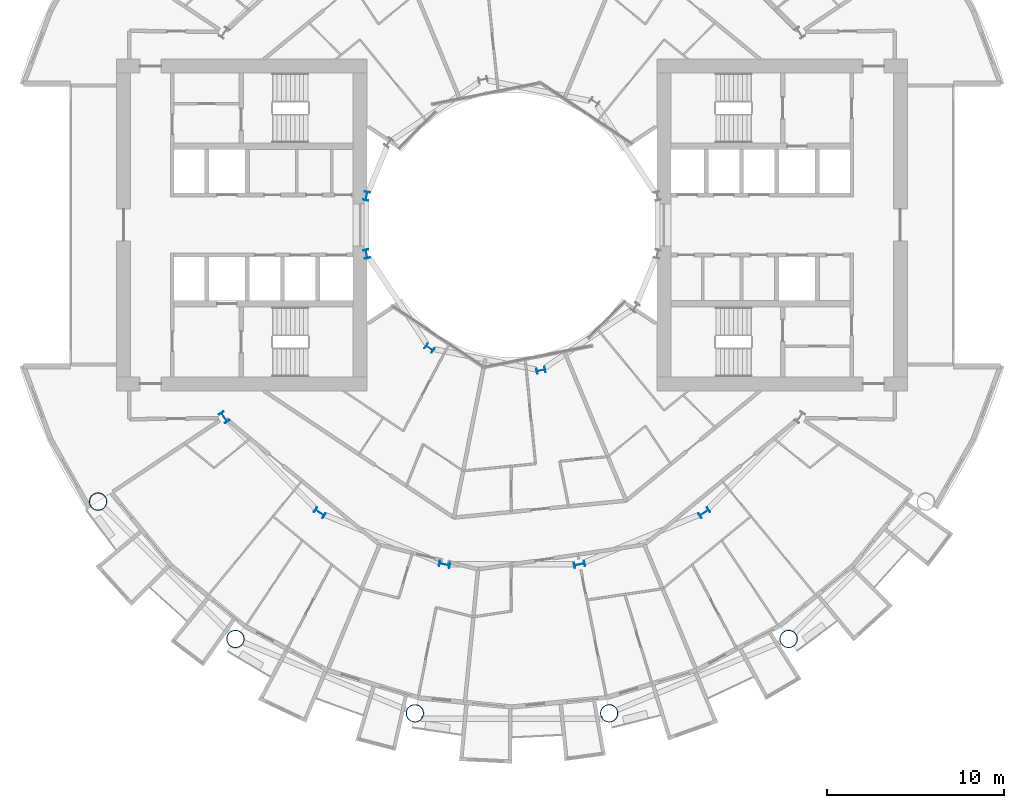
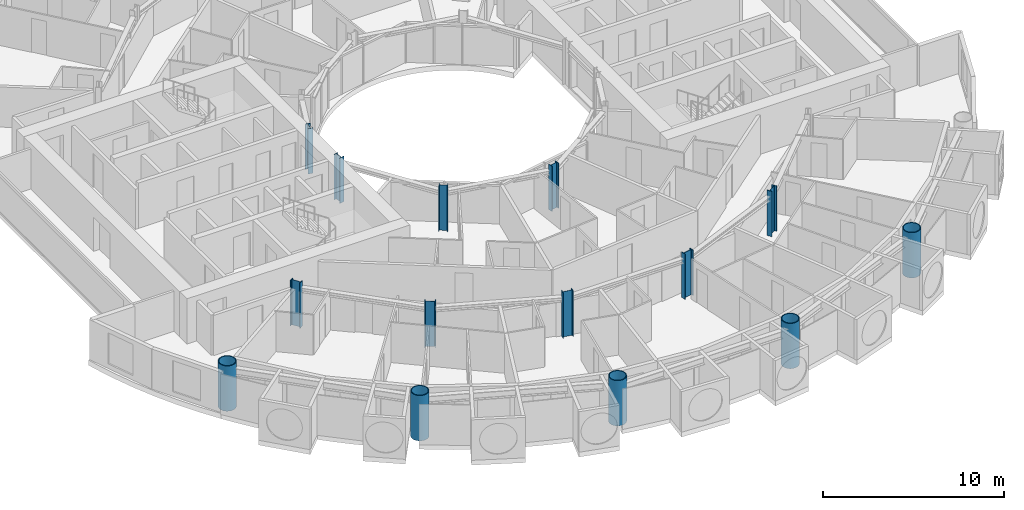
# One storey, part 1 of 26: 14 columns.
"""IFC4 building model written with IfcOpenShell, lengths in metres."""

import ifcopenshell
import ifcopenshell.guid

model = None  # the IFC model being written
_history = None  # IfcOwnerHistory: only IFC2X3 demands one
_inside = {}  # id of a spatial element -> (the spatial element, [elements in it])
_under = {}  # id of a project, library or spatial element -> (it, [spatial elements below it])
_declared = {}  # id of a project -> (the project, [libraries it declares])
_typed = {}  # id of a type object -> (the type object, [elements of that type])
_made_of = {}  # id of a material, layer set ... -> (it, [elements and type objects made of it])


def new_model(schema):
    """Start an empty IFC model of exactly this schema.

    Asked for "IFC4X3", IfcOpenShell would pick the latest addendum, in which some entities
    have other attributes; the version numbers below select the first issue.
    IFC2X3 requires an IfcOwnerHistory on every rooted entity: one is made here for all.
    """
    global model, _history
    if schema == "IFC4X3":
        model = ifcopenshell.file(schema_version=(4, 3, 0, 0))
    else:
        model = ifcopenshell.file(schema=schema)
    _inside.clear()
    _under.clear()
    _declared.clear()
    _typed.clear()
    _made_of.clear()
    _history = None
    if model.schema == "IFC2X3":
        org = make("IfcOrganization", Name="unknown")
        user = make(
            "IfcPersonAndOrganization",
            ThePerson=make("IfcPerson", FamilyName="unknown"),
            TheOrganization=org,
        )
        app = make(
            "IfcApplication",
            ApplicationDeveloper=org,
            Version="unknown",
            ApplicationFullName="unknown",
            ApplicationIdentifier="unknown",
        )
        _history = make(
            "IfcOwnerHistory",
            OwningUser=user,
            OwningApplication=app,
            ChangeAction="ADDED",
            CreationDate=0,
        )
    return model


def make(cls, **values):
    """One entity of the class cls with the attributes given. An attribute that is None is left unset."""
    return model.create_entity(
        cls, **{name: value for name, value in values.items() if value is not None}
    )


def rooted(cls, **values):
    """An entity with a GlobalId (a new one), such as an element, a storey or a relation."""
    return make(cls, GlobalId=ifcopenshell.guid.new(), OwnerHistory=_history, **values)


def si_unit(unit_type, name, prefix=None):
    """IfcSIUnit, for example si_unit("LENGTHUNIT", "METRE", prefix="MILLI")."""
    return make("IfcSIUnit", UnitType=unit_type, Prefix=prefix, Name=name)


def assignment(units):
    """IfcUnitAssignment: the units of a project."""
    return None if units is None else make("IfcUnitAssignment", Units=units)


def point(xyz):
    """IfcCartesianPoint."""
    return None if xyz is None else make("IfcCartesianPoint", Coordinates=xyz)


def direction(xyz):
    """IfcDirection."""
    return None if xyz is None else make("IfcDirection", DirectionRatios=xyz)


def frame(location, z_axis=None, x_axis=None):
    """IfcAxis2Placement3D, a coordinate frame: its origin and axes. An axis left out is left unset."""
    return make(
        "IfcAxis2Placement3D",
        Location=point(location),
        Axis=direction(z_axis),
        RefDirection=direction(x_axis),
    )


def frame_2d(location, x_axis=None):
    """IfcAxis2Placement2D, a coordinate frame in the plane: its origin and x axis."""
    return make(
        "IfcAxis2Placement2D", Location=point(location), RefDirection=direction(x_axis)
    )


def origin():
    """The frame at (0, 0, 0) with its axes left unset."""
    return frame((0.0, 0.0, 0.0))


def origin_2d():
    """The frame at (0, 0) in the plane with its x axis left unset."""
    return frame_2d((0.0, 0.0))


def place(relative_to, where):
    """IfcLocalPlacement: puts the frame where relative to a parent placement (None: the world)."""
    return make(
        "IfcLocalPlacement", PlacementRelTo=relative_to, RelativePlacement=where
    )


def context(
    kind, dimensions, precision=None, world=None, true_north=None, identifier=None
):
    """IfcGeometricRepresentationContext, for example the 3D "Model" context."""
    return make(
        "IfcGeometricRepresentationContext",
        ContextIdentifier=identifier,
        ContextType=kind,
        CoordinateSpaceDimension=dimensions,
        Precision=precision,
        WorldCoordinateSystem=world,
        TrueNorth=true_north,
    )


def subcontext(parent, identifier, kind, view, scale=None):
    """IfcGeometricRepresentationSubContext, for example "Body" below "Model"."""
    return make(
        "IfcGeometricRepresentationSubContext",
        ContextIdentifier=identifier,
        ContextType=kind,
        ParentContext=parent,
        TargetScale=scale,
        TargetView=view,
    )


def project(units=None, contexts=None):
    """IfcProject with its units and contexts."""
    return rooted(
        "IfcProject",
        Name="project",
        RepresentationContexts=contexts,
        UnitsInContext=assignment(units),
    )


def spatial(cls, under=None, at=None, **own):
    """A site, building, storey or space (cls), placed at a placement, below another one or the project."""
    s = rooted(cls, ObjectPlacement=at, **own)
    if under is not None:
        _under.setdefault(under.id(), (under, []))[1].append(s)
    return s


def profile(cls, at=None, kind="AREA", **sizes):
    """A parametric profile (cls). Its sizes go by their IFC names, for example OverallWidth=200.0."""
    return make(cls, ProfileType=kind, Position=at, **sizes)


def hollow_circle(**sizes):
    """IfcCircleHollowProfileDef."""
    return profile("IfcCircleHollowProfileDef", **sizes)


def i_section(**sizes):
    """IfcIShapeProfileDef."""
    return profile("IfcIShapeProfileDef", **sizes)


def extrude(swept, where, along, depth):
    """IfcExtrudedAreaSolid: the profile swept, set in the frame where, extruded along a direction by depth."""
    return make(
        "IfcExtrudedAreaSolid",
        SweptArea=swept,
        Position=where,
        ExtrudedDirection=direction(along),
        Depth=depth,
    )


def shape(context_of_items, identifier, shape_type, items):
    """IfcShapeRepresentation: the items that make up one representation, for example the "Body"."""
    return make(
        "IfcShapeRepresentation",
        ContextOfItems=context_of_items,
        RepresentationIdentifier=identifier,
        RepresentationType=shape_type,
        Items=items,
    )


def material(Name=None, Category=None):
    """IfcMaterial."""
    return make("IfcMaterial", Name=Name, Category=Category)


def material_profile(
    of_material, cross_section, Name=None, Category=None, Priority=None
):
    """IfcMaterialProfile: a cross section and its material."""
    return make(
        "IfcMaterialProfile",
        Name=Name,
        Material=of_material,
        Profile=cross_section,
        Priority=Priority,
        Category=Category,
    )


def profile_set(profiles, Name=None, composite=None):
    """IfcMaterialProfileSet."""
    return make(
        "IfcMaterialProfileSet",
        Name=Name,
        MaterialProfiles=profiles,
        CompositeProfile=composite,
    )


def made_of(thing, what):
    """Note that an element or type object is made of a material, layer set ...; save() writes the relation."""
    if what is not None:
        _made_of.setdefault(what.id(), (what, []))[1].append(thing)
    return thing


def type_object(cls, material=None, **own):
    """A type object (cls), such as IfcWallType, which elements share."""
    return made_of(rooted(cls, **own), material)


def element(
    cls,
    number,
    at=None,
    inside=None,
    cuts=None,
    type_object=None,
    material=None,
    context=None,
    identifier="Body",
    shape_type=None,
    held_by="IfcProductDefinitionShape",
    body=None,
    shapes=None,
    **own,
):
    """One element of the class cls, such as IfcWall. Its Tag is "e" and its number.

    at: its placement. inside: the storey or other place that contains it. cuts: it is an
    opening in that element (IfcRelVoidsElement). A single representation is given by context,
    identifier, shape_type and body (its items); several are given by shapes. held_by: the class
    of the entity that holds the representations. save() writes the other relations.
    """
    e = rooted(cls, Tag="e%d" % number, ObjectPlacement=at, **own)
    if body is not None:
        shapes = [shape(context, identifier, shape_type, body)]
    if shapes is not None:
        e.Representation = make(held_by, Representations=shapes)
    if inside is not None:
        _inside.setdefault(inside.id(), (inside, []))[1].append(e)
    if cuts is not None:
        rooted(
            "IfcRelVoidsElement", RelatingBuildingElement=cuts, RelatedOpeningElement=e
        )
    if type_object is not None:
        _typed.setdefault(type_object.id(), (type_object, []))[1].append(e)
    return made_of(e, material)


def aggregate(whole, parts):
    """IfcRelAggregates: a whole, such as a stair, and the parts it consists of."""
    return rooted("IfcRelAggregates", RelatingObject=whole, RelatedObjects=parts)


def save(model, path):
    """Write the relations noted so far, then the file.

    IfcRelAggregates (storeys below a building ...), IfcRelContainedInSpatialStructure (elements
    in a storey), IfcRelDefinesByType, IfcRelAssociatesMaterial and IfcRelDeclares: one each for
    every whole, place, type object, material and project.
    """
    for whole, parts in _under.values():
        aggregate(whole, parts)
    for where, things in _inside.values():
        rooted(
            "IfcRelContainedInSpatialStructure",
            RelatedElements=things,
            RelatingStructure=where,
        )
    for kind, things in _typed.values():
        rooted("IfcRelDefinesByType", RelatedObjects=things, RelatingType=kind)
    for what, things in _made_of.values():
        rooted("IfcRelAssociatesMaterial", RelatedObjects=things, RelatingMaterial=what)
    for by, libraries in _declared.values():
        rooted("IfcRelDeclares", RelatingContext=by, RelatedDefinitions=libraries)
    model.write(path)


model = new_model("IFC4")

# Units and contexts
model_context = context("Model", 3, precision=1e-05, world=origin(), true_north=direction((0.0, 1.0)))
body_context = subcontext(model_context, "Body", "Model", "MODEL_VIEW")
ifc_project = project(units=[si_unit("LENGTHUNIT", "METRE"), si_unit("AREAUNIT", "SQUARE_METRE"), si_unit("VOLUMEUNIT", "CUBIC_METRE"), si_unit("PLANEANGLEUNIT", "RADIAN"), si_unit("MASSUNIT", "GRAM", prefix="KILO")], contexts=[model_context])

# Site, building, storey
site_placement = place(None, origin())
site = spatial("IfcSite", under=ifc_project, at=site_placement, CompositionType="ELEMENT")
building_placement = place(site_placement, origin())
building = spatial("IfcBuilding", under=site, at=building_placement, Name="Maasbend Ring Residences", CompositionType="ELEMENT")
storey_placement = place(building_placement, frame((0.0, 0.0, 38.050048828125)))
storey = spatial("IfcBuildingStorey", under=building, at=storey_placement, Name="L10", CompositionType="ELEMENT", Elevation=38.050048828125)

# Columns
ifc_material_1 = material(Name="Composite concrete-filled steel tube S460NH / C80/95", Category="concrete")
ifc_material_profile_1 = material_profile(ifc_material_1, hollow_circle(Radius=0.508056640625, WallThickness=0.050048828125, at=origin_2d()), Name="Composite tube column CHS 1016x50")
ifc_profile_set_1 = profile_set([ifc_material_profile_1], Name="Composite concrete-filled steel tube S460NH / C80/95")
column_type_1 = type_object("IfcColumnType", Name="Composite tube column CHS 1016x50", PredefinedType="COLUMN", material=ifc_profile_set_1)
for number, where, z_axis, x_axis, name in (
    (1, (-23.447509765625, -15.6669921875, 0.0), (0.0, 0.0, 1.0), (1.0, 0.0, 0.0), "Outer column R10"),
    (2, (-15.6669921875, -23.447509765625, 0.0), (0.0, 0.0, 1.0), (1.0, 0.0, 0.0), "Outer column R11"),
    (3, (-5.50146484375, -27.658203125, 0.0), (0.0, 0.0, 1.0), (1.0, 0.0, 0.0), "Outer column R12"),
    (4, (5.50146484375, -27.658203125, 0.0), (0.0, 0.0, 1.0), (1.0, 0.0, 0.0), "Outer column R13"),
    (5, (15.6669921875, -23.447509765625, 0.0), (0.0, 0.0, 1.0), (1.0, 0.0, 0.0), "Outer column R14"),
):
    element("IfcColumn", number, at=place(storey_placement, frame(where, z_axis=z_axis, x_axis=x_axis)), inside=storey, type_object=column_type_1, Name=name, PredefinedType="COLUMN", context=body_context, shape_type="SweptSolid", body=[
        extrude(hollow_circle(Radius=0.508056640625, WallThickness=0.050048828125, at=origin_2d()), origin(), (0.0, 0.0, 1.0), 3.050048828125),
    ])
ifc_material_2 = material(Name="Steel S355J2", Category="steel")
ifc_material_profile_2 = material_profile(ifc_material_2, i_section(OverallWidth=0.300048828125, OverallDepth=0.5, WebThickness=0.014404296875, FlangeThickness=0.028076171875, FilletRadius=0.027099609375, at=origin_2d()), Name="HEB 500")
ifc_profile_set_2 = profile_set([ifc_material_profile_2], Name="Steel S355J2")
column_type_2 = type_object("IfcColumnType", Name="Steel column HEB 500", PredefinedType="COLUMN", material=ifc_profile_set_2)
for number, where, z_axis, x_axis, name in (
    (6, (-8.238525390625, 1.638916015625, 0.0), (0.0, 0.0, 1.0), (-0.980785280403, 0.195090322016, 0.0), "Well ring column R8"),
    (7, (-8.238525390625, -1.638916015625, 0.0), (0.0, 0.0, 1.0), (-0.980785280403, -0.195090322016, 0.0), "Well ring column R9"),
    (8, (-4.666748046875, -6.984375, 0.0), (0.0, 0.0, 1.0), (-0.55557023302, -0.831469612303, 0.0), "Well ring column R11"),
    (9, (1.638916015625, -8.238525390625, 0.0), (0.0, 0.0, 1.0), (0.195090322016, -0.980785280403, 0.0), "Well ring column R13"),
):
    element("IfcColumn", number, at=place(storey_placement, frame(where, z_axis=z_axis, x_axis=x_axis)), inside=storey, type_object=column_type_2, Name=name, PredefinedType="COLUMN", context=body_context, shape_type="SweptSolid", body=[
        extrude(i_section(OverallWidth=0.300048828125, OverallDepth=0.5, WebThickness=0.014404296875, FlangeThickness=0.028076171875, FilletRadius=0.027099609375, at=origin_2d()), origin(), (0.0, 0.0, 1.0), 3.050048828125),
    ])
ifc_material_3 = material(Name="Steel S460M", Category="steel")
ifc_material_profile_3 = material_profile(ifc_material_3, i_section(OverallWidth=0.304931640625, OverallDepth=0.6201171875, WebThickness=0.02099609375, FlangeThickness=0.0400390625, FilletRadius=0.027099609375, at=origin_2d()), Name="HEM 600")
ifc_profile_set_3 = profile_set([ifc_material_profile_3], Name="Steel S460M")
column_type_3 = type_object("IfcColumnType", Name="Steel column HEM 600", PredefinedType="COLUMN", material=ifc_profile_set_3)
for number, where, z_axis, x_axis, name in (
    (10, (-16.296875, -10.88916015625, 0.0), (0.0, 0.0, 1.0), (-0.831469612303, -0.55557023302, 0.0), "Corridor ring column R10"),
    (11, (-10.88916015625, -16.296875, 0.0), (0.0, 0.0, 1.0), (-0.55557023302, -0.831469612303, 0.0), "Corridor ring column R11"),
    (12, (-3.82373046875, -19.223388671875, 0.0), (0.0, 0.0, 1.0), (-0.195090322016, -0.980785280403, 0.0), "Corridor ring column R12"),
    (13, (3.82373046875, -19.223388671875, 0.0), (0.0, 0.0, 1.0), (0.195090322016, -0.980785280403, 0.0), "Corridor ring column R13"),
    (14, (10.88916015625, -16.296875, 0.0), (0.0, 0.0, 1.0), (0.55557023302, -0.831469612303, 0.0), "Corridor ring column R14"),
):
    element("IfcColumn", number, at=place(storey_placement, frame(where, z_axis=z_axis, x_axis=x_axis)), inside=storey, type_object=column_type_3, Name=name, PredefinedType="COLUMN", context=body_context, shape_type="SweptSolid", body=[
        extrude(i_section(OverallWidth=0.304931640625, OverallDepth=0.6201171875, WebThickness=0.02099609375, FlangeThickness=0.0400390625, FilletRadius=0.027099609375, at=origin_2d()), origin(), (0.0, 0.0, 1.0), 3.050048828125),
    ])

save(model, "model.ifc")
